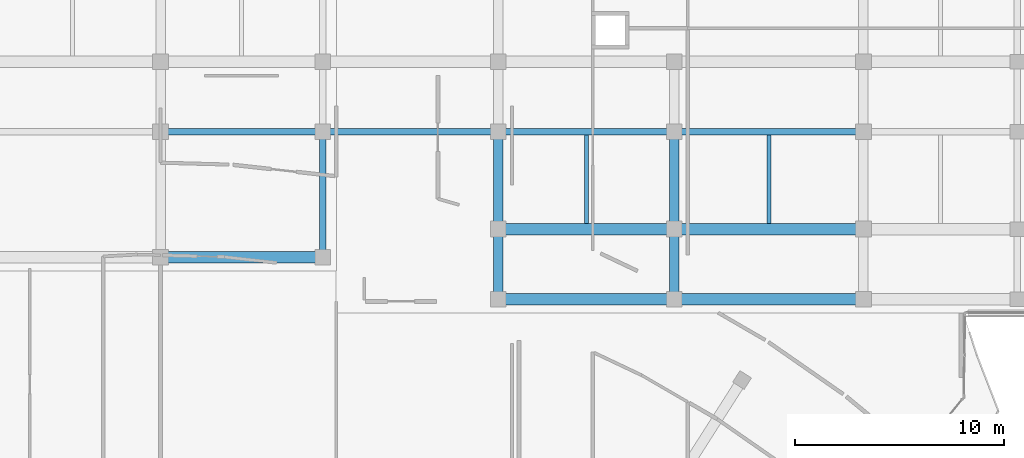
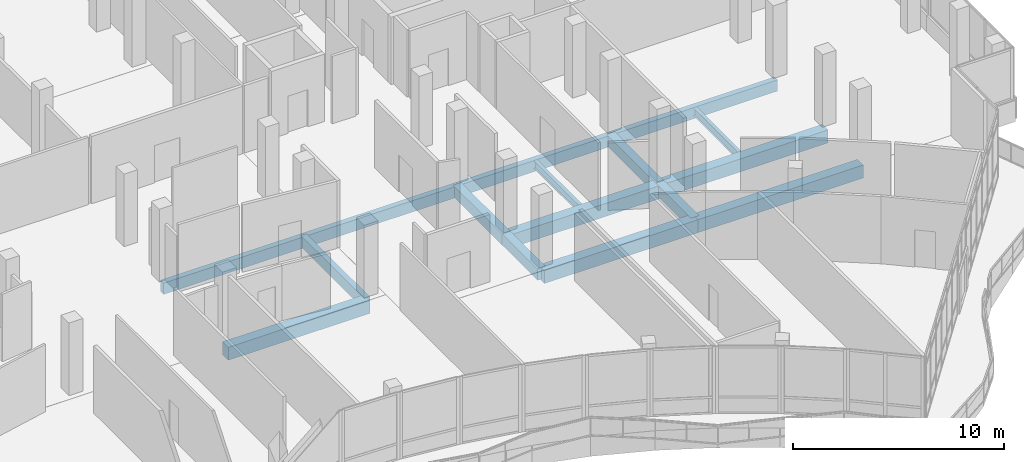
# One storey, part 127 of 184: 16 beams.
"""IFC4 building model written with IfcOpenShell, lengths in metres."""

from ifc_helpers import new_model, si_unit, direction, frame, origin, origin_2d, place, context, subcontext, project, spatial, rectangle, i_section, extrude, material, material_profile, profile_set, type_object, element, save


model = new_model("IFC4")

# Units and contexts
model_context = context("Model", 3, precision=1e-05, world=origin(), true_north=direction((0.0, 1.0)))
body_context = subcontext(model_context, "Body", "Model", "MODEL_VIEW")
ifc_project = project(units=[si_unit("LENGTHUNIT", "METRE"), si_unit("AREAUNIT", "SQUARE_METRE"), si_unit("VOLUMEUNIT", "CUBIC_METRE"), si_unit("PLANEANGLEUNIT", "RADIAN"), si_unit("MASSUNIT", "GRAM", prefix="KILO")], contexts=[model_context])

# Site, building, storey
site_placement = place(None, origin())
site = spatial("IfcSite", under=ifc_project, at=site_placement, CompositionType="ELEMENT")
building_placement = place(site_placement, origin())
building = spatial("IfcBuilding", under=site, at=building_placement, Name="Selatvlak General Hospital", CompositionType="ELEMENT")
storey_placement = place(building_placement, frame((0.0, 0.0, 15.0)))
storey = spatial("IfcBuildingStorey", under=building, at=storey_placement, Name="L03", CompositionType="ELEMENT", Elevation=15.0)

# Beams
ifc_material_1 = material(Name="Concrete C40/50", Category="concrete")
ifc_material_profile_1 = material_profile(ifc_material_1, rectangle(XDim=0.550048828125, YDim=0.75, at=origin_2d()), Name="RC-BM 550x750")
ifc_profile_set_1 = profile_set([ifc_material_profile_1], Name="Concrete C40/50")
beam_type_1 = type_object("IfcBeamType", Name="BM-G02", PredefinedType="BEAM", material=ifc_profile_set_1)
beam_1_placement = place(storey_placement, frame((156.550048828125, 64.64990234375, -0.715087890625), z_axis=(1.0, 0.0, 0.0), x_axis=(0.0, 1.0, 0.0)))
element("IfcBeam", 1, at=beam_1_placement, inside=storey, type_object=beam_type_1, Name="Beam BMR-L03-1154", PredefinedType="BEAM", context=body_context, shape_type="SweptSolid", body=[
    extrude(rectangle(XDim=0.550048828125, YDim=0.75, at=origin_2d()), origin(), (0.0, 0.0, 1.0), 8.39990234375),
])
beam_2_placement = place(storey_placement, frame((164.949951171875, 64.64990234375, -0.715087890625), z_axis=(1.0, 0.0, 0.0), x_axis=(0.0, 1.0, 0.0)))
element("IfcBeam", 2, at=beam_2_placement, inside=storey, type_object=beam_type_1, Name="Beam BMR-L03-1155", PredefinedType="BEAM", context=body_context, shape_type="SweptSolid", body=[
    extrude(rectangle(XDim=0.550048828125, YDim=0.75, at=origin_2d()), origin(), (0.0, 0.0, 1.0), 9.050048828125),
])
beam_3_placement = place(storey_placement, frame((140.39990234375, 66.64990234375, -0.715087890625), z_axis=(1.0, 0.0, 0.0), x_axis=(0.0, 1.0, 0.0)))
element("IfcBeam", 3, at=beam_3_placement, inside=storey, type_object=beam_type_1, Name="Beam BMR-L03-1160", PredefinedType="BEAM", context=body_context, shape_type="SweptSolid", body=[
    extrude(rectangle(XDim=0.550048828125, YDim=0.75, at=origin_2d()), origin(), (0.0, 0.0, 1.0), 7.75),
])
beam_4_placement = place(storey_placement, frame((156.550048828125, 68.0, -0.715087890625), z_axis=(1.0, 0.0, 0.0), x_axis=(0.0, 1.0, 0.0)))
element("IfcBeam", 4, at=beam_4_placement, inside=storey, type_object=beam_type_1, Name="Beam BMR-L03-1161", PredefinedType="BEAM", context=body_context, shape_type="SweptSolid", body=[
    extrude(rectangle(XDim=0.550048828125, YDim=0.75, at=origin_2d()), origin(), (0.0, 0.0, 1.0), 8.39990234375),
])
beam_5_placement = place(storey_placement, frame((164.949951171875, 68.0, -0.715087890625), z_axis=(1.0, 0.0, 0.0), x_axis=(0.0, 1.0, 0.0)))
element("IfcBeam", 5, at=beam_5_placement, inside=storey, type_object=beam_type_1, Name="Beam BMR-L03-1162", PredefinedType="BEAM", context=body_context, shape_type="SweptSolid", body=[
    extrude(rectangle(XDim=0.550048828125, YDim=0.75, at=origin_2d()), origin(), (0.0, 0.0, 1.0), 9.050048828125),
])
ifc_material_profile_2 = material_profile(ifc_material_1, rectangle(XDim=0.449951171875, YDim=0.64990234375, at=origin_2d()), Name="RC-BM 450x650")
ifc_profile_set_2 = profile_set([ifc_material_profile_2], Name="Concrete C40/50")
beam_type_2 = type_object("IfcBeamType", Name="BM-G04", PredefinedType="BEAM", material=ifc_profile_set_2)
beam_6_placement = place(storey_placement, frame((156.550048828125, 64.64990234375, -0.6650390625), z_axis=(0.0, 1.0, 0.0), x_axis=(-1.0, 0.0, 0.0)))
element("IfcBeam", 6, at=beam_6_placement, inside=storey, type_object=beam_type_2, Name="Beam BMR-L03-1392", PredefinedType="BEAM", context=body_context, shape_type="SweptSolid", body=[
    extrude(rectangle(XDim=0.449951171875, YDim=0.64990234375, at=origin_2d()), origin(), (0.0, 0.0, 1.0), 3.35009765625),
])
beam_7_placement = place(storey_placement, frame((156.550048828125, 68.0, -0.6650390625), z_axis=(0.0, 1.0, 0.0), x_axis=(-1.0, 0.0, 0.0)))
element("IfcBeam", 7, at=beam_7_placement, inside=storey, type_object=beam_type_2, Name="Beam BMR-L03-1393", PredefinedType="BEAM", context=body_context, shape_type="SweptSolid", body=[
    extrude(rectangle(XDim=0.449951171875, YDim=0.64990234375, at=origin_2d()), origin(), (0.0, 0.0, 1.0), 4.64990234375),
])
beam_8_placement = place(storey_placement, frame((164.949951171875, 64.64990234375, -0.6650390625), z_axis=(0.0, 1.0, 0.0), x_axis=(-1.0, 0.0, 0.0)))
element("IfcBeam", 8, at=beam_8_placement, inside=storey, type_object=beam_type_2, Name="Beam BMR-L03-1402", PredefinedType="BEAM", context=body_context, shape_type="SweptSolid", body=[
    extrude(rectangle(XDim=0.449951171875, YDim=0.64990234375, at=origin_2d()), origin(), (0.0, 0.0, 1.0), 3.35009765625),
])
beam_9_placement = place(storey_placement, frame((164.949951171875, 68.0, -0.6650390625), z_axis=(0.0, 1.0, 0.0), x_axis=(-1.0, 0.0, 0.0)))
element("IfcBeam", 9, at=beam_9_placement, inside=storey, type_object=beam_type_2, Name="Beam BMR-L03-1403", PredefinedType="BEAM", context=body_context, shape_type="SweptSolid", body=[
    extrude(rectangle(XDim=0.449951171875, YDim=0.64990234375, at=origin_2d()), origin(), (0.0, 0.0, 1.0), 4.64990234375),
])
ifc_material_2 = material(Name="Steel S355", Category="steel")
ifc_material_profile_3 = material_profile(ifc_material_2, i_section(OverallWidth=0.1904296875, OverallDepth=0.45703125, WebThickness=0.009033203125, FlangeThickness=0.014404296875, at=origin_2d()), Name="UB 457x191x74")
ifc_profile_set_3 = profile_set([ifc_material_profile_3], Name="Steel S355")
beam_type_3 = type_object("IfcBeamType", Name="BM-J03", PredefinedType="JOIST", material=ifc_profile_set_3)
for number, where, z_axis, x_axis, name in (
    (10, (160.75, 68.27490234375, -0.569091796875), (0.0, 1.0, 0.0), (-1.0, 0.0, 0.0), "Beam BMR-L03-1429"),
    (11, (169.47509765625, 68.27490234375, -0.569091796875), (0.0, 1.0, 0.0), (-1.0, 0.0, 0.0), "Beam BMR-L03-1430"),
):
    element("IfcBeam", number, at=place(storey_placement, frame(where, z_axis=z_axis, x_axis=x_axis)), inside=storey, type_object=beam_type_3, Name=name, PredefinedType="JOIST", context=body_context, shape_type="SweptSolid", body=[
        extrude(i_section(OverallWidth=0.1904296875, OverallDepth=0.45703125, WebThickness=0.009033203125, FlangeThickness=0.014404296875, at=origin_2d()), origin(), (0.0, 0.0, 1.0), 4.22509765625),
    ])
ifc_material_profile_4 = material_profile(ifc_material_1, rectangle(XDim=0.300048828125, YDim=0.64990234375, at=origin_2d()), Name="RC-SP 300x650")
ifc_profile_set_4 = profile_set([ifc_material_profile_4], Name="Concrete C40/50")
beam_type_4 = type_object("IfcBeamType", Name="BM-SP1", PredefinedType="SPANDREL", material=ifc_profile_set_4)
beam_10_placement = place(storey_placement, frame((140.39990234375, 72.64990234375, -0.6650390625), z_axis=(1.0, 0.0, 0.0), x_axis=(0.0, 1.0, 0.0)))
element("IfcBeam", 12, at=beam_10_placement, inside=storey, type_object=beam_type_4, Name="Beam BMR-L03-1167", PredefinedType="SPANDREL", context=body_context, shape_type="SweptSolid", body=[
    extrude(rectangle(XDim=0.300048828125, YDim=0.64990234375, at=origin_2d()), origin(), (0.0, 0.0, 1.0), 7.75),
])
beam_11_placement = place(storey_placement, frame((148.14990234375, 72.64990234375, -0.6650390625), z_axis=(1.0, 0.0, 0.0), x_axis=(0.0, 1.0, 0.0)))
element("IfcBeam", 13, at=beam_11_placement, inside=storey, type_object=beam_type_4, Name="Beam BMR-L03-1168", PredefinedType="SPANDREL", context=body_context, shape_type="SweptSolid", body=[
    extrude(rectangle(XDim=0.300048828125, YDim=0.64990234375, at=origin_2d()), origin(), (0.0, 0.0, 1.0), 8.400146484375),
])
beam_12_placement = place(storey_placement, frame((156.550048828125, 72.64990234375, -0.6650390625), z_axis=(1.0, 0.0, 0.0), x_axis=(0.0, 1.0, 0.0)))
element("IfcBeam", 14, at=beam_12_placement, inside=storey, type_object=beam_type_4, Name="Beam BMR-L03-1169", PredefinedType="SPANDREL", context=body_context, shape_type="SweptSolid", body=[
    extrude(rectangle(XDim=0.300048828125, YDim=0.64990234375, at=origin_2d()), origin(), (0.0, 0.0, 1.0), 8.39990234375),
])
beam_13_placement = place(storey_placement, frame((164.949951171875, 72.64990234375, -0.6650390625), z_axis=(1.0, 0.0, 0.0), x_axis=(0.0, 1.0, 0.0)))
element("IfcBeam", 15, at=beam_13_placement, inside=storey, type_object=beam_type_4, Name="Beam BMR-L03-1170", PredefinedType="SPANDREL", context=body_context, shape_type="SweptSolid", body=[
    extrude(rectangle(XDim=0.300048828125, YDim=0.64990234375, at=origin_2d()), origin(), (0.0, 0.0, 1.0), 9.050048828125),
])
beam_14_placement = place(storey_placement, frame((148.14990234375, 66.64990234375, -0.6650390625), z_axis=(0.0, 1.0, 0.0), x_axis=(-1.0, 0.0, 0.0)))
element("IfcBeam", 16, at=beam_14_placement, inside=storey, type_object=beam_type_4, Name="Beam BMR-L03-1385", PredefinedType="SPANDREL", context=body_context, shape_type="SweptSolid", body=[
    extrude(rectangle(XDim=0.300048828125, YDim=0.64990234375, at=origin_2d()), origin(), (0.0, 0.0, 1.0), 6.0),
])

save(model, "model.ifc")
